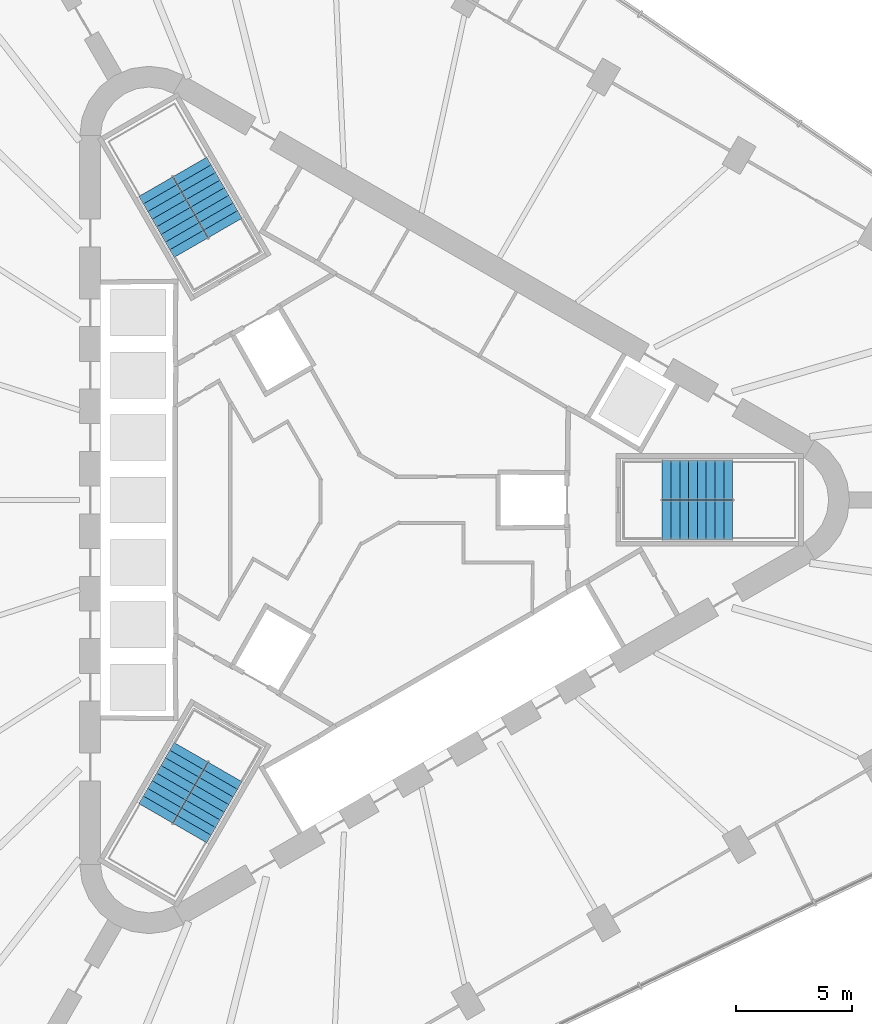
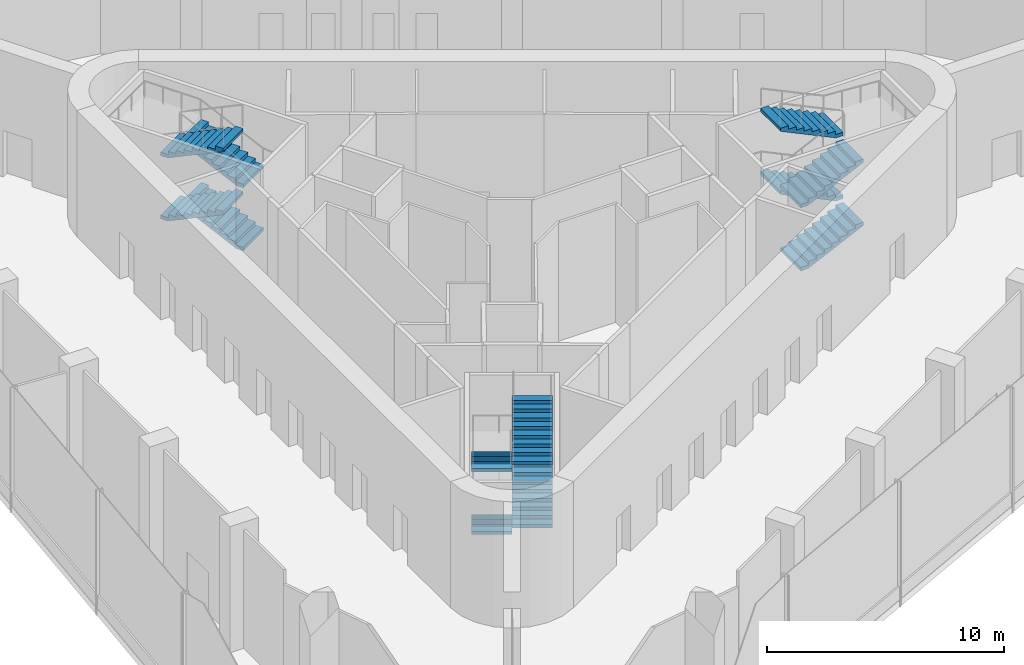
# One storey, part 12 of 15: 12 stair flights, 3 elements without a shape of their own.
"""IFC4 building model written with IfcOpenShell, lengths in metres."""

from ifc_helpers import new_model, si_unit, direction, frame, origin, place, context, subcontext, project, spatial, polyline, outline, extrude, material, type_object, element, aggregate, save


model = new_model("IFC4")

# Units and contexts
model_context = context("Model", 3, precision=1e-05, world=origin(), true_north=direction((0.0, 1.0)))
body_context = subcontext(model_context, "Body", "Model", "MODEL_VIEW")
ifc_project = project(units=[si_unit("LENGTHUNIT", "METRE"), si_unit("AREAUNIT", "SQUARE_METRE"), si_unit("VOLUMEUNIT", "CUBIC_METRE"), si_unit("PLANEANGLEUNIT", "RADIAN"), si_unit("MASSUNIT", "GRAM", prefix="KILO")], contexts=[model_context])

# Site, building, storey
site_placement = place(None, origin())
site = spatial("IfcSite", under=ifc_project, at=site_placement, CompositionType="ELEMENT")
building_placement = place(site_placement, origin())
building = spatial("IfcBuilding", under=site, at=building_placement, Name="Tanit Gate Tower", CompositionType="ELEMENT")
storey_placement = place(building_placement, frame((0.0, 0.0, 277.199951171875)))
storey = spatial("IfcBuildingStorey", under=building, at=storey_placement, Name="L63", CompositionType="ELEMENT", Elevation=277.199951171875)

# Stair, stair flights
ifc_material_1 = material(Name="Concrete C40/50", Category="concrete")
stair_type = type_object("IfcStairType", Name="INT-STAIR-EXIT", PredefinedType="HALF_TURN_STAIR", material=ifc_material_1)
stair_1_placement = place(storey_placement, origin())
stair_1 = element("IfcStair", 1, at=stair_1_placement, inside=storey, type_object=stair_type, Name="L63 STAIR S1", PredefinedType="HALF_TURN_STAIR")
ifc_material_2 = material(Name="Concrete C40/50", Category="concrete")
stair_flight_type = type_object("IfcStairFlightType", Name="INT-STAIR-FLIGHT", PredefinedType="STRAIGHT", material=ifc_material_2)
stair_flight_1_placement = place(storey_placement, frame((13.094970703125, -0.8525390625, 0.0), z_axis=(0.0, 0.0, 1.0), x_axis=(1.0, 0.0, 0.0)))
stair_flight_1 = element("IfcStairFlight", 2, at=stair_flight_1_placement, type_object=stair_flight_type, Name="S1 flight 1", NumberOfRisers=9, NumberOfTreads=8, PredefinedType="STRAIGHT", RiserHeight=0.180555556, TreadLength=0.381375, context=body_context, shape_type="SweptSolid", body=[
    extrude(outline(polyline([(0.0, 0.0), (0.0, 0.1806640625), (0.38134765625, 0.1806640625), (0.38134765625, 0.361083984375), (0.7626953125, 0.361083984375), (0.7626953125, 0.541748046875), (1.14404296875, 0.541748046875), (1.14404296875, 0.72216796875), (1.525390625, 0.72216796875), (1.525390625, 0.90283203125), (1.906982421875, 0.90283203125), (1.906982421875, 1.083251953125), (2.288330078125, 1.083251953125), (2.288330078125, 1.263916015625), (2.669677734375, 1.263916015625), (2.669677734375, 1.4443359375), (3.051025390625, 1.4443359375), (3.051025390625, 1.625), (3.051025390625, 1.278564453125), (0.350341796875, 0.0), (0.0, 0.0)])), frame((0.0, 0.84765625, 0.0), z_axis=(0.0, -1.0, 0.0), x_axis=(1.0, 0.0, 0.0)), (0.0, 0.0, 1.0), 1.695068359375),
])
stair_flight_2_placement = place(storey_placement, frame((16.14599609375, 0.8525390625, 1.625), z_axis=(0.0, 0.0, 1.0), x_axis=(-1.0, 0.0, 0.0)))
stair_flight_2 = element("IfcStairFlight", 3, at=stair_flight_2_placement, type_object=stair_flight_type, Name="S1 flight 2", NumberOfRisers=9, NumberOfTreads=8, PredefinedType="STRAIGHT", RiserHeight=0.180555556, TreadLength=0.381375, context=body_context, shape_type="SweptSolid", body=[
    extrude(outline(polyline([(0.0, 0.0), (0.0, 0.1806640625), (0.38134765625, 0.1806640625), (0.38134765625, 0.361083984375), (0.7626953125, 0.361083984375), (0.7626953125, 0.541748046875), (1.14404296875, 0.541748046875), (1.14404296875, 0.72216796875), (1.525390625, 0.72216796875), (1.525390625, 0.90283203125), (1.906982421875, 0.90283203125), (1.906982421875, 1.083251953125), (2.288330078125, 1.083251953125), (2.288330078125, 1.263916015625), (2.669677734375, 1.263916015625), (2.669677734375, 1.4443359375), (3.051025390625, 1.4443359375), (3.051025390625, 1.625), (3.051025390625, 1.278564453125), (0.350341796875, 0.0), (0.0, 0.0)])), frame((0.0, 0.84765625, 0.0), z_axis=(0.0, -1.0, 0.0), x_axis=(1.0, 0.0, 0.0)), (0.0, 0.0, 1.0), 1.695068359375),
])
stair_flight_3_placement = place(storey_placement, frame((13.094970703125, -0.8525390625, 3.25), z_axis=(0.0, 0.0, 1.0), x_axis=(1.0, 0.0, 0.0)))
stair_flight_3 = element("IfcStairFlight", 4, at=stair_flight_3_placement, type_object=stair_flight_type, Name="S1 flight 3", NumberOfRisers=9, NumberOfTreads=8, PredefinedType="STRAIGHT", RiserHeight=0.180555556, TreadLength=0.381375, context=body_context, shape_type="SweptSolid", body=[
    extrude(outline(polyline([(0.0, 0.0), (0.0, 0.1806640625), (0.38134765625, 0.1806640625), (0.38134765625, 0.361083984375), (0.7626953125, 0.361083984375), (0.7626953125, 0.541748046875), (1.14404296875, 0.541748046875), (1.14404296875, 0.72216796875), (1.525390625, 0.72216796875), (1.525390625, 0.90283203125), (1.906982421875, 0.90283203125), (1.906982421875, 1.083251953125), (2.288330078125, 1.083251953125), (2.288330078125, 1.263916015625), (2.669677734375, 1.263916015625), (2.669677734375, 1.4443359375), (3.051025390625, 1.4443359375), (3.051025390625, 1.625), (3.051025390625, 1.278564453125), (0.350341796875, 0.0), (0.0, 0.0)])), frame((0.0, 0.84765625, 0.0), z_axis=(0.0, -1.0, 0.0), x_axis=(1.0, 0.0, 0.0)), (0.0, 0.0, 1.0), 1.695068359375),
])
stair_flight_4_placement = place(storey_placement, frame((16.14599609375, 0.8525390625, 4.875), z_axis=(0.0, 0.0, 1.0), x_axis=(-1.0, 0.0, 0.0)))
stair_flight_4 = element("IfcStairFlight", 5, at=stair_flight_4_placement, type_object=stair_flight_type, Name="S1 flight 4", NumberOfRisers=9, NumberOfTreads=8, PredefinedType="STRAIGHT", RiserHeight=0.180555556, TreadLength=0.381375, context=body_context, shape_type="SweptSolid", body=[
    extrude(outline(polyline([(0.0, 0.0), (0.0, 0.1806640625), (0.38134765625, 0.1806640625), (0.38134765625, 0.361083984375), (0.7626953125, 0.361083984375), (0.7626953125, 0.541748046875), (1.14404296875, 0.541748046875), (1.14404296875, 0.72216796875), (1.525390625, 0.72216796875), (1.525390625, 0.90283203125), (1.906982421875, 0.90283203125), (1.906982421875, 1.083251953125), (2.288330078125, 1.083251953125), (2.288330078125, 1.263916015625), (2.669677734375, 1.263916015625), (2.669677734375, 1.4443359375), (3.051025390625, 1.4443359375), (3.051025390625, 1.625), (3.051025390625, 1.278564453125), (0.350341796875, 0.0), (0.0, 0.0)])), frame((0.0, 0.84765625, 0.0), z_axis=(0.0, -1.0, 0.0), x_axis=(1.0, 0.0, 0.0)), (0.0, 0.0, 1.0), 1.695068359375),
])
aggregate(stair_1, [stair_flight_1, stair_flight_2, stair_flight_3, stair_flight_4])

stair_2_placement = place(storey_placement, origin())
stair_2 = element("IfcStair", 6, at=stair_2_placement, inside=storey, type_object=stair_type, Name="L63 STAIR S2", PredefinedType="HALF_TURN_STAIR")
stair_flight_5_placement = place(storey_placement, frame((-5.808349609375, 11.766357421875, 0.0), z_axis=(0.0, 0.0, 1.0), x_axis=(-0.5, 0.866025403784, 0.0)))
stair_flight_5 = element("IfcStairFlight", 7, at=stair_flight_5_placement, type_object=stair_flight_type, Name="S2 flight 1", NumberOfRisers=9, NumberOfTreads=8, PredefinedType="STRAIGHT", RiserHeight=0.180555556, TreadLength=0.38115, context=body_context, shape_type="SweptSolid", body=[
    extrude(outline(polyline([(0.0, 0.0), (0.0, 0.1806640625), (0.381103515625, 0.1806640625), (0.381103515625, 0.361083984375), (0.76220703125, 0.361083984375), (0.76220703125, 0.541748046875), (1.1435546875, 0.541748046875), (1.1435546875, 0.72216796875), (1.524658203125, 0.72216796875), (1.524658203125, 0.90283203125), (1.90576171875, 0.90283203125), (1.90576171875, 1.083251953125), (2.286865234375, 1.083251953125), (2.286865234375, 1.263916015625), (2.66796875, 1.263916015625), (2.66796875, 1.4443359375), (3.04931640625, 1.4443359375), (3.04931640625, 1.625), (3.04931640625, 1.278564453125), (0.35009765625, 0.0), (0.0, 0.0)])), frame((0.0, 0.84716796875, 0.0), z_axis=(0.0, -1.0, 0.0), x_axis=(1.0, 0.0, 0.0)), (0.0, 0.0, 1.0), 1.694091796875),
])
stair_flight_6_placement = place(storey_placement, frame((-8.810302734375, 13.553955078125, 1.625), z_axis=(0.0, 0.0, 1.0), x_axis=(0.5, -0.866025403784, 0.0)))
stair_flight_6 = element("IfcStairFlight", 8, at=stair_flight_6_placement, type_object=stair_flight_type, Name="S2 flight 2", NumberOfRisers=9, NumberOfTreads=8, PredefinedType="STRAIGHT", RiserHeight=0.180555556, TreadLength=0.38115, context=body_context, shape_type="SweptSolid", body=[
    extrude(outline(polyline([(0.0, 0.0), (0.0, 0.1806640625), (0.381103515625, 0.1806640625), (0.381103515625, 0.361083984375), (0.76220703125, 0.361083984375), (0.76220703125, 0.541748046875), (1.1435546875, 0.541748046875), (1.1435546875, 0.72216796875), (1.524658203125, 0.72216796875), (1.524658203125, 0.90283203125), (1.90576171875, 0.90283203125), (1.90576171875, 1.083251953125), (2.286865234375, 1.083251953125), (2.286865234375, 1.263916015625), (2.66796875, 1.263916015625), (2.66796875, 1.4443359375), (3.04931640625, 1.4443359375), (3.04931640625, 1.625), (3.04931640625, 1.278564453125), (0.35009765625, 0.0), (0.0, 0.0)])), frame((0.0, 0.84716796875, 0.0), z_axis=(0.0, -1.0, 0.0), x_axis=(1.0, 0.0, 0.0)), (0.0, 0.0, 1.0), 1.694091796875),
])
stair_flight_7_placement = place(storey_placement, frame((-5.808349609375, 11.766357421875, 3.25), z_axis=(0.0, 0.0, 1.0), x_axis=(-0.5, 0.866025403784, 0.0)))
stair_flight_7 = element("IfcStairFlight", 9, at=stair_flight_7_placement, type_object=stair_flight_type, Name="S2 flight 3", NumberOfRisers=9, NumberOfTreads=8, PredefinedType="STRAIGHT", RiserHeight=0.180555556, TreadLength=0.38115, context=body_context, shape_type="SweptSolid", body=[
    extrude(outline(polyline([(0.0, 0.0), (0.0, 0.1806640625), (0.381103515625, 0.1806640625), (0.381103515625, 0.361083984375), (0.76220703125, 0.361083984375), (0.76220703125, 0.541748046875), (1.1435546875, 0.541748046875), (1.1435546875, 0.72216796875), (1.524658203125, 0.72216796875), (1.524658203125, 0.90283203125), (1.90576171875, 0.90283203125), (1.90576171875, 1.083251953125), (2.286865234375, 1.083251953125), (2.286865234375, 1.263916015625), (2.66796875, 1.263916015625), (2.66796875, 1.4443359375), (3.04931640625, 1.4443359375), (3.04931640625, 1.625), (3.04931640625, 1.278564453125), (0.35009765625, 0.0), (0.0, 0.0)])), frame((0.0, 0.84716796875, 0.0), z_axis=(0.0, -1.0, 0.0), x_axis=(1.0, 0.0, 0.0)), (0.0, 0.0, 1.0), 1.694091796875),
])
stair_flight_8_placement = place(storey_placement, frame((-8.810302734375, 13.553955078125, 4.875), z_axis=(0.0, 0.0, 1.0), x_axis=(0.5, -0.866025403784, 0.0)))
stair_flight_8 = element("IfcStairFlight", 10, at=stair_flight_8_placement, type_object=stair_flight_type, Name="S2 flight 4", NumberOfRisers=9, NumberOfTreads=8, PredefinedType="STRAIGHT", RiserHeight=0.180555556, TreadLength=0.38115, context=body_context, shape_type="SweptSolid", body=[
    extrude(outline(polyline([(0.0, 0.0), (0.0, 0.1806640625), (0.381103515625, 0.1806640625), (0.381103515625, 0.361083984375), (0.76220703125, 0.361083984375), (0.76220703125, 0.541748046875), (1.1435546875, 0.541748046875), (1.1435546875, 0.72216796875), (1.524658203125, 0.72216796875), (1.524658203125, 0.90283203125), (1.90576171875, 0.90283203125), (1.90576171875, 1.083251953125), (2.286865234375, 1.083251953125), (2.286865234375, 1.263916015625), (2.66796875, 1.263916015625), (2.66796875, 1.4443359375), (3.04931640625, 1.4443359375), (3.04931640625, 1.625), (3.04931640625, 1.278564453125), (0.35009765625, 0.0), (0.0, 0.0)])), frame((0.0, 0.84716796875, 0.0), z_axis=(0.0, -1.0, 0.0), x_axis=(1.0, 0.0, 0.0)), (0.0, 0.0, 1.0), 1.694091796875),
])
aggregate(stair_2, [stair_flight_5, stair_flight_6, stair_flight_7, stair_flight_8])

stair_3_placement = place(storey_placement, origin())
stair_3 = element("IfcStair", 11, at=stair_3_placement, inside=storey, type_object=stair_type, Name="L63 STAIR S3", PredefinedType="HALF_TURN_STAIR")
stair_flight_9_placement = place(storey_placement, frame((-7.285888671875, -10.914306640625, 0.0), z_axis=(0.0, 0.0, 1.0), x_axis=(-0.5, -0.866025403784, 0.0)))
stair_flight_9 = element("IfcStairFlight", 12, at=stair_flight_9_placement, type_object=stair_flight_type, Name="S3 flight 1", NumberOfRisers=9, NumberOfTreads=8, PredefinedType="STRAIGHT", RiserHeight=0.180555556, TreadLength=0.381375, context=body_context, shape_type="SweptSolid", body=[
    extrude(outline(polyline([(0.0, 0.0), (0.0, 0.1806640625), (0.38134765625, 0.1806640625), (0.38134765625, 0.361083984375), (0.7626953125, 0.361083984375), (0.7626953125, 0.541748046875), (1.14404296875, 0.541748046875), (1.14404296875, 0.72216796875), (1.525390625, 0.72216796875), (1.525390625, 0.90283203125), (1.906982421875, 0.90283203125), (1.906982421875, 1.083251953125), (2.288330078125, 1.083251953125), (2.288330078125, 1.263916015625), (2.669677734375, 1.263916015625), (2.669677734375, 1.4443359375), (3.051025390625, 1.4443359375), (3.051025390625, 1.625), (3.051025390625, 1.278564453125), (0.350341796875, 0.0), (0.0, 0.0)])), frame((0.0, 0.84765625, 0.0), z_axis=(0.0, -1.0, 0.0), x_axis=(1.0, 0.0, 0.0)), (0.0, 0.0, 1.0), 1.695068359375),
])
stair_flight_10_placement = place(storey_placement, frame((-7.334716796875, -14.4091796875, 1.625), z_axis=(0.0, 0.0, 1.0), x_axis=(0.5, 0.866025403784, 0.0)))
stair_flight_10 = element("IfcStairFlight", 13, at=stair_flight_10_placement, type_object=stair_flight_type, Name="S3 flight 2", NumberOfRisers=9, NumberOfTreads=8, PredefinedType="STRAIGHT", RiserHeight=0.180555556, TreadLength=0.381375, context=body_context, shape_type="SweptSolid", body=[
    extrude(outline(polyline([(0.0, 0.0), (0.0, 0.1806640625), (0.38134765625, 0.1806640625), (0.38134765625, 0.361083984375), (0.7626953125, 0.361083984375), (0.7626953125, 0.541748046875), (1.14404296875, 0.541748046875), (1.14404296875, 0.72216796875), (1.525390625, 0.72216796875), (1.525390625, 0.90283203125), (1.906982421875, 0.90283203125), (1.906982421875, 1.083251953125), (2.288330078125, 1.083251953125), (2.288330078125, 1.263916015625), (2.669677734375, 1.263916015625), (2.669677734375, 1.4443359375), (3.051025390625, 1.4443359375), (3.051025390625, 1.625), (3.051025390625, 1.278564453125), (0.350341796875, 0.0), (0.0, 0.0)])), frame((0.0, 0.84765625, 0.0), z_axis=(0.0, -1.0, 0.0), x_axis=(1.0, 0.0, 0.0)), (0.0, 0.0, 1.0), 1.695068359375),
])
stair_flight_11_placement = place(storey_placement, frame((-7.285888671875, -10.914306640625, 3.25), z_axis=(0.0, 0.0, 1.0), x_axis=(-0.5, -0.866025403784, 0.0)))
stair_flight_11 = element("IfcStairFlight", 14, at=stair_flight_11_placement, type_object=stair_flight_type, Name="S3 flight 3", NumberOfRisers=9, NumberOfTreads=8, PredefinedType="STRAIGHT", RiserHeight=0.180555556, TreadLength=0.381375, context=body_context, shape_type="SweptSolid", body=[
    extrude(outline(polyline([(0.0, 0.0), (0.0, 0.1806640625), (0.38134765625, 0.1806640625), (0.38134765625, 0.361083984375), (0.7626953125, 0.361083984375), (0.7626953125, 0.541748046875), (1.14404296875, 0.541748046875), (1.14404296875, 0.72216796875), (1.525390625, 0.72216796875), (1.525390625, 0.90283203125), (1.906982421875, 0.90283203125), (1.906982421875, 1.083251953125), (2.288330078125, 1.083251953125), (2.288330078125, 1.263916015625), (2.669677734375, 1.263916015625), (2.669677734375, 1.4443359375), (3.051025390625, 1.4443359375), (3.051025390625, 1.625), (3.051025390625, 1.278564453125), (0.350341796875, 0.0), (0.0, 0.0)])), frame((0.0, 0.84765625, 0.0), z_axis=(0.0, -1.0, 0.0), x_axis=(1.0, 0.0, 0.0)), (0.0, 0.0, 1.0), 1.695068359375),
])
stair_flight_12_placement = place(storey_placement, frame((-7.334716796875, -14.4091796875, 4.875), z_axis=(0.0, 0.0, 1.0), x_axis=(0.5, 0.866025403784, 0.0)))
stair_flight_12 = element("IfcStairFlight", 15, at=stair_flight_12_placement, type_object=stair_flight_type, Name="S3 flight 4", NumberOfRisers=9, NumberOfTreads=8, PredefinedType="STRAIGHT", RiserHeight=0.180555556, TreadLength=0.381375, context=body_context, shape_type="SweptSolid", body=[
    extrude(outline(polyline([(0.0, 0.0), (0.0, 0.1806640625), (0.38134765625, 0.1806640625), (0.38134765625, 0.361083984375), (0.7626953125, 0.361083984375), (0.7626953125, 0.541748046875), (1.14404296875, 0.541748046875), (1.14404296875, 0.72216796875), (1.525390625, 0.72216796875), (1.525390625, 0.90283203125), (1.906982421875, 0.90283203125), (1.906982421875, 1.083251953125), (2.288330078125, 1.083251953125), (2.288330078125, 1.263916015625), (2.669677734375, 1.263916015625), (2.669677734375, 1.4443359375), (3.051025390625, 1.4443359375), (3.051025390625, 1.625), (3.051025390625, 1.278564453125), (0.350341796875, 0.0), (0.0, 0.0)])), frame((0.0, 0.84765625, 0.0), z_axis=(0.0, -1.0, 0.0), x_axis=(1.0, 0.0, 0.0)), (0.0, 0.0, 1.0), 1.695068359375),
])
aggregate(stair_3, [stair_flight_9, stair_flight_10, stair_flight_11, stair_flight_12])

save(model, "model.ifc")
